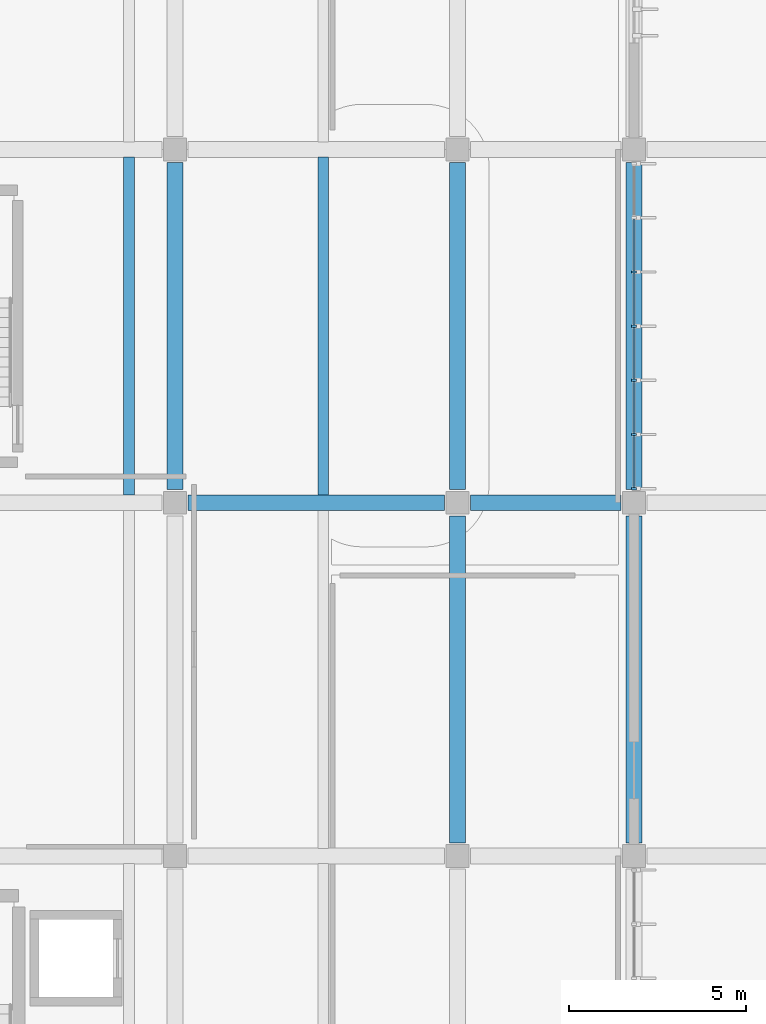
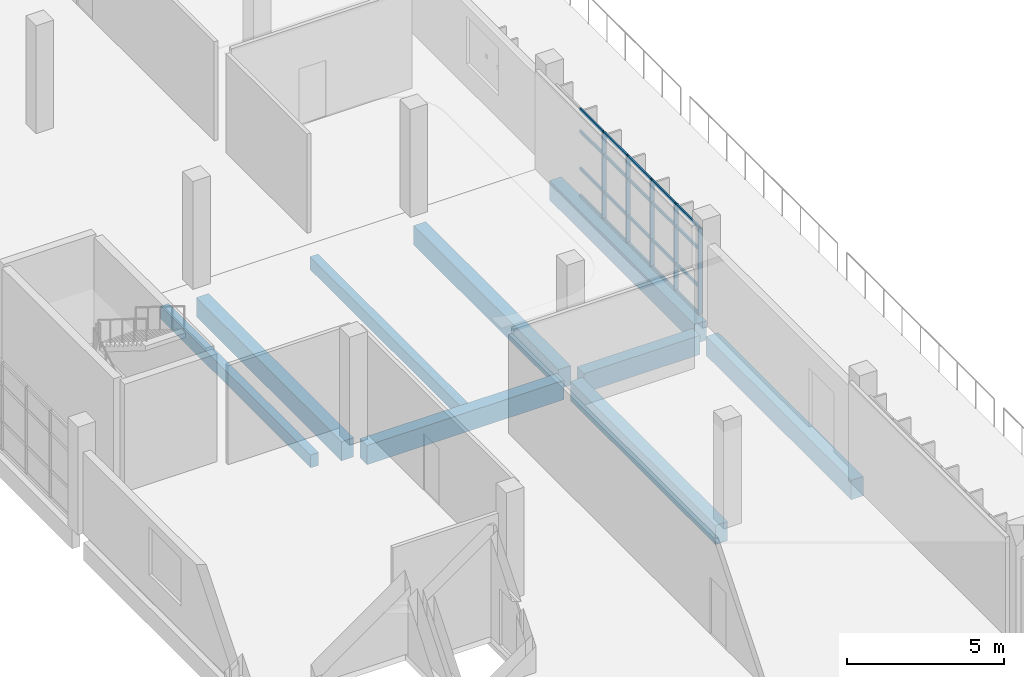
# One storey, part 57 of 142: 25 members, 9 beams, 1 element without a shape of its own.
"""IFC4 building model written with IfcOpenShell, lengths in metres."""

from ifc_helpers import new_model, si_unit, direction, frame, origin, origin_2d, place, context, subcontext, project, spatial, rectangle, extrude, material, layer, layer_set, material_profile, profile_set, type_object, element, aggregate, save


model = new_model("IFC4")

# Units and contexts
model_context = context("Model", 3, precision=1e-05, world=origin(), true_north=direction((0.0, 1.0)))
body_context = subcontext(model_context, "Body", "Model", "MODEL_VIEW")
ifc_project = project(units=[si_unit("LENGTHUNIT", "METRE"), si_unit("AREAUNIT", "SQUARE_METRE"), si_unit("VOLUMEUNIT", "CUBIC_METRE"), si_unit("PLANEANGLEUNIT", "RADIAN"), si_unit("MASSUNIT", "GRAM", prefix="KILO")], contexts=[model_context])

# Site, building, storey
site_placement = place(None, origin())
site = spatial("IfcSite", under=ifc_project, at=site_placement, CompositionType="ELEMENT")
building_placement = place(site_placement, origin())
building = spatial("IfcBuilding", under=site, at=building_placement, Name="Corvandel Quay Wholesale Market", CompositionType="ELEMENT")
storey_placement = place(building_placement, frame((0.0, 0.0, 10.800048828125)))
storey = spatial("IfcBuildingStorey", under=building, at=storey_placement, Name="L02", CompositionType="ELEMENT", Elevation=10.800048828125)

# Curtain wall, members
ifc_material_1 = material(Name="Bronze anodised aluminium and low-E insulated glazing", Category="aluminium")
ifc_layer = layer(ifc_material_1, 0.162109375)
ifc_layer_set = layer_set([ifc_layer], Name="Bronze anodised aluminium and low-E insulated glazing")
curtain_wall_type = type_object("IfcCurtainWallType", Name="Stick Curtain Wall System CW16 H4440", PredefinedType="NOTDEFINED", material=ifc_layer_set)
curtain_wall_placement = place(storey_placement, origin())
curtain_wall = element("IfcCurtainWall", 1, at=curtain_wall_placement, inside=storey, type_object=curtain_wall_type, Name="Curtain Wall CW-0158", PredefinedType="NOTDEFINED")
ifc_material_2 = material(Name="Anodised aluminium 6063-T6", Category="aluminium")
ifc_material_profile_1 = material_profile(ifc_material_2, rectangle(XDim=0.06494140625, YDim=0.14990234375, at=origin_2d()), Name="ALU-MUL-65x150")
ifc_profile_set_1 = profile_set([ifc_material_profile_1], Name="Anodised aluminium 6063-T6")
member_type_1 = type_object("IfcMemberType", Name="Curtain Wall Mullion ML02 65x150", PredefinedType="MULLION", material=ifc_profile_set_1)
member_1_placement = place(storey_placement, frame((243.0, 40.39990234375, 0.0), z_axis=(0.0, 0.0, 1.0), x_axis=(0.0, 1.0, 0.0)))
member_1 = element("IfcMember", 2, at=member_1_placement, type_object=member_type_1, Name="Mullion CW-0158-M00", PredefinedType="MULLION", context=body_context, shape_type="SweptSolid", body=[
    extrude(rectangle(XDim=0.06494140625, YDim=0.14990234375, at=origin_2d()), origin(), (0.0, 0.0, 1.0), 3.349853515625),
])
member_2_placement = place(storey_placement, frame((243.0, 41.933349609375, 0.0), z_axis=(0.0, 0.0, 1.0), x_axis=(0.0, 1.0, 0.0)))
member_2 = element("IfcMember", 3, at=member_2_placement, type_object=member_type_1, Name="Mullion CW-0158-M01", PredefinedType="MULLION", context=body_context, shape_type="SweptSolid", body=[
    extrude(rectangle(XDim=0.06494140625, YDim=0.14990234375, at=origin_2d()), origin(), (0.0, 0.0, 1.0), 3.349853515625),
])
member_3_placement = place(storey_placement, frame((243.0, 43.466796875, 0.0), z_axis=(0.0, 0.0, 1.0), x_axis=(0.0, 1.0, 0.0)))
member_3 = element("IfcMember", 4, at=member_3_placement, type_object=member_type_1, Name="Mullion CW-0158-M02", PredefinedType="MULLION", context=body_context, shape_type="SweptSolid", body=[
    extrude(rectangle(XDim=0.06494140625, YDim=0.14990234375, at=origin_2d()), origin(), (0.0, 0.0, 1.0), 3.349853515625),
])
member_4_placement = place(storey_placement, frame((243.0, 45.0, 0.0), z_axis=(0.0, 0.0, 1.0), x_axis=(0.0, 1.0, 0.0)))
member_4 = element("IfcMember", 5, at=member_4_placement, type_object=member_type_1, Name="Mullion CW-0158-M03", PredefinedType="MULLION", context=body_context, shape_type="SweptSolid", body=[
    extrude(rectangle(XDim=0.06494140625, YDim=0.14990234375, at=origin_2d()), origin(), (0.0, 0.0, 1.0), 3.349853515625),
])
member_5_placement = place(storey_placement, frame((243.0, 46.533203125, 0.0), z_axis=(0.0, 0.0, 1.0), x_axis=(0.0, 1.0, 0.0)))
member_5 = element("IfcMember", 6, at=member_5_placement, type_object=member_type_1, Name="Mullion CW-0158-M04", PredefinedType="MULLION", context=body_context, shape_type="SweptSolid", body=[
    extrude(rectangle(XDim=0.06494140625, YDim=0.14990234375, at=origin_2d()), origin(), (0.0, 0.0, 1.0), 3.349853515625),
])
ifc_material_profile_2 = material_profile(ifc_material_2, rectangle(XDim=0.06005859375, YDim=0.110107421875, at=origin_2d()), Name="ALU-TRN-60x110")
ifc_profile_set_2 = profile_set([ifc_material_profile_2], Name="Anodised aluminium 6063-T6")
member_type_2 = type_object("IfcMemberType", Name="Curtain Wall Transom TR02 60x110", PredefinedType="USERDEFINED", material=ifc_profile_set_2)
member_6_placement = place(storey_placement, frame((243.0, 40.4326171875, 0.0), z_axis=(0.0, 1.0, 0.0), x_axis=(-1.0, 0.0, 0.0)))
member_6 = element("IfcMember", 7, at=member_6_placement, type_object=member_type_2, Name="Transom CW-0158-T00-0", ObjectType="TRANSOM", PredefinedType="USERDEFINED", context=body_context, shape_type="SweptSolid", body=[
    extrude(rectangle(XDim=0.06005859375, YDim=0.110107421875, at=origin_2d()), origin(), (0.0, 0.0, 1.0), 1.46826171875),
])
member_7_placement = place(storey_placement, frame((243.0, 40.4326171875, 1.050048828125), z_axis=(0.0, 1.0, 0.0), x_axis=(-1.0, 0.0, 0.0)))
member_7 = element("IfcMember", 8, at=member_7_placement, type_object=member_type_2, Name="Transom CW-0158-T00-1", ObjectType="TRANSOM", PredefinedType="USERDEFINED", context=body_context, shape_type="SweptSolid", body=[
    extrude(rectangle(XDim=0.06005859375, YDim=0.110107421875, at=origin_2d()), origin(), (0.0, 0.0, 1.0), 1.46826171875),
])
member_8_placement = place(storey_placement, frame((243.0, 40.4326171875, 2.5), z_axis=(0.0, 1.0, 0.0), x_axis=(-1.0, 0.0, 0.0)))
member_8 = element("IfcMember", 9, at=member_8_placement, type_object=member_type_2, Name="Transom CW-0158-T00-2", ObjectType="TRANSOM", PredefinedType="USERDEFINED", context=body_context, shape_type="SweptSolid", body=[
    extrude(rectangle(XDim=0.06005859375, YDim=0.110107421875, at=origin_2d()), origin(), (0.0, 0.0, 1.0), 1.46826171875),
])
member_9_placement = place(storey_placement, frame((243.0, 40.4326171875, 3.349853515625), z_axis=(0.0, 1.0, 0.0), x_axis=(-1.0, 0.0, 0.0)))
member_9 = element("IfcMember", 10, at=member_9_placement, type_object=member_type_2, Name="Transom CW-0158-T00-3", ObjectType="TRANSOM", PredefinedType="USERDEFINED", context=body_context, shape_type="SweptSolid", body=[
    extrude(rectangle(XDim=0.06005859375, YDim=0.110107421875, at=origin_2d()), origin(), (0.0, 0.0, 1.0), 1.46826171875),
])
member_10_placement = place(storey_placement, frame((243.0, 41.9658203125, 0.0), z_axis=(0.0, 1.0, 0.0), x_axis=(-1.0, 0.0, 0.0)))
member_10 = element("IfcMember", 11, at=member_10_placement, type_object=member_type_2, Name="Transom CW-0158-T01-0", ObjectType="TRANSOM", PredefinedType="USERDEFINED", context=body_context, shape_type="SweptSolid", body=[
    extrude(rectangle(XDim=0.06005859375, YDim=0.110107421875, at=origin_2d()), origin(), (0.0, 0.0, 1.0), 1.46826171875),
])
member_11_placement = place(storey_placement, frame((243.0, 41.9658203125, 1.050048828125), z_axis=(0.0, 1.0, 0.0), x_axis=(-1.0, 0.0, 0.0)))
member_11 = element("IfcMember", 12, at=member_11_placement, type_object=member_type_2, Name="Transom CW-0158-T01-1", ObjectType="TRANSOM", PredefinedType="USERDEFINED", context=body_context, shape_type="SweptSolid", body=[
    extrude(rectangle(XDim=0.06005859375, YDim=0.110107421875, at=origin_2d()), origin(), (0.0, 0.0, 1.0), 1.46826171875),
])
member_12_placement = place(storey_placement, frame((243.0, 41.9658203125, 2.5), z_axis=(0.0, 1.0, 0.0), x_axis=(-1.0, 0.0, 0.0)))
member_12 = element("IfcMember", 13, at=member_12_placement, type_object=member_type_2, Name="Transom CW-0158-T01-2", ObjectType="TRANSOM", PredefinedType="USERDEFINED", context=body_context, shape_type="SweptSolid", body=[
    extrude(rectangle(XDim=0.06005859375, YDim=0.110107421875, at=origin_2d()), origin(), (0.0, 0.0, 1.0), 1.46826171875),
])
member_13_placement = place(storey_placement, frame((243.0, 41.9658203125, 3.349853515625), z_axis=(0.0, 1.0, 0.0), x_axis=(-1.0, 0.0, 0.0)))
member_13 = element("IfcMember", 14, at=member_13_placement, type_object=member_type_2, Name="Transom CW-0158-T01-3", ObjectType="TRANSOM", PredefinedType="USERDEFINED", context=body_context, shape_type="SweptSolid", body=[
    extrude(rectangle(XDim=0.06005859375, YDim=0.110107421875, at=origin_2d()), origin(), (0.0, 0.0, 1.0), 1.46826171875),
])
member_14_placement = place(storey_placement, frame((243.0, 43.499267578125, 0.0), z_axis=(0.0, 1.0, 0.0), x_axis=(-1.0, 0.0, 0.0)))
member_14 = element("IfcMember", 15, at=member_14_placement, type_object=member_type_2, Name="Transom CW-0158-T02-0", ObjectType="TRANSOM", PredefinedType="USERDEFINED", context=body_context, shape_type="SweptSolid", body=[
    extrude(rectangle(XDim=0.06005859375, YDim=0.110107421875, at=origin_2d()), origin(), (0.0, 0.0, 1.0), 1.46826171875),
])
member_15_placement = place(storey_placement, frame((243.0, 43.499267578125, 1.050048828125), z_axis=(0.0, 1.0, 0.0), x_axis=(-1.0, 0.0, 0.0)))
member_15 = element("IfcMember", 16, at=member_15_placement, type_object=member_type_2, Name="Transom CW-0158-T02-1", ObjectType="TRANSOM", PredefinedType="USERDEFINED", context=body_context, shape_type="SweptSolid", body=[
    extrude(rectangle(XDim=0.06005859375, YDim=0.110107421875, at=origin_2d()), origin(), (0.0, 0.0, 1.0), 1.46826171875),
])
member_16_placement = place(storey_placement, frame((243.0, 43.499267578125, 2.5), z_axis=(0.0, 1.0, 0.0), x_axis=(-1.0, 0.0, 0.0)))
member_16 = element("IfcMember", 17, at=member_16_placement, type_object=member_type_2, Name="Transom CW-0158-T02-2", ObjectType="TRANSOM", PredefinedType="USERDEFINED", context=body_context, shape_type="SweptSolid", body=[
    extrude(rectangle(XDim=0.06005859375, YDim=0.110107421875, at=origin_2d()), origin(), (0.0, 0.0, 1.0), 1.46826171875),
])
member_17_placement = place(storey_placement, frame((243.0, 43.499267578125, 3.349853515625), z_axis=(0.0, 1.0, 0.0), x_axis=(-1.0, 0.0, 0.0)))
member_17 = element("IfcMember", 18, at=member_17_placement, type_object=member_type_2, Name="Transom CW-0158-T02-3", ObjectType="TRANSOM", PredefinedType="USERDEFINED", context=body_context, shape_type="SweptSolid", body=[
    extrude(rectangle(XDim=0.06005859375, YDim=0.110107421875, at=origin_2d()), origin(), (0.0, 0.0, 1.0), 1.46826171875),
])
member_18_placement = place(storey_placement, frame((243.0, 45.032470703125, 0.0), z_axis=(0.0, 1.0, 0.0), x_axis=(-1.0, 0.0, 0.0)))
member_18 = element("IfcMember", 19, at=member_18_placement, type_object=member_type_2, Name="Transom CW-0158-T03-0", ObjectType="TRANSOM", PredefinedType="USERDEFINED", context=body_context, shape_type="SweptSolid", body=[
    extrude(rectangle(XDim=0.06005859375, YDim=0.110107421875, at=origin_2d()), origin(), (0.0, 0.0, 1.0), 1.46826171875),
])
member_19_placement = place(storey_placement, frame((243.0, 45.032470703125, 1.050048828125), z_axis=(0.0, 1.0, 0.0), x_axis=(-1.0, 0.0, 0.0)))
member_19 = element("IfcMember", 20, at=member_19_placement, type_object=member_type_2, Name="Transom CW-0158-T03-1", ObjectType="TRANSOM", PredefinedType="USERDEFINED", context=body_context, shape_type="SweptSolid", body=[
    extrude(rectangle(XDim=0.06005859375, YDim=0.110107421875, at=origin_2d()), origin(), (0.0, 0.0, 1.0), 1.46826171875),
])
member_20_placement = place(storey_placement, frame((243.0, 45.032470703125, 2.5), z_axis=(0.0, 1.0, 0.0), x_axis=(-1.0, 0.0, 0.0)))
member_20 = element("IfcMember", 21, at=member_20_placement, type_object=member_type_2, Name="Transom CW-0158-T03-2", ObjectType="TRANSOM", PredefinedType="USERDEFINED", context=body_context, shape_type="SweptSolid", body=[
    extrude(rectangle(XDim=0.06005859375, YDim=0.110107421875, at=origin_2d()), origin(), (0.0, 0.0, 1.0), 1.46826171875),
])
member_21_placement = place(storey_placement, frame((243.0, 45.032470703125, 3.349853515625), z_axis=(0.0, 1.0, 0.0), x_axis=(-1.0, 0.0, 0.0)))
member_21 = element("IfcMember", 22, at=member_21_placement, type_object=member_type_2, Name="Transom CW-0158-T03-3", ObjectType="TRANSOM", PredefinedType="USERDEFINED", context=body_context, shape_type="SweptSolid", body=[
    extrude(rectangle(XDim=0.06005859375, YDim=0.110107421875, at=origin_2d()), origin(), (0.0, 0.0, 1.0), 1.46826171875),
])
member_22_placement = place(storey_placement, frame((243.0, 46.56591796875, 0.0), z_axis=(0.0, 1.0, 0.0), x_axis=(-1.0, 0.0, 0.0)))
member_22 = element("IfcMember", 23, at=member_22_placement, type_object=member_type_2, Name="Transom CW-0158-T04-0", ObjectType="TRANSOM", PredefinedType="USERDEFINED", context=body_context, shape_type="SweptSolid", body=[
    extrude(rectangle(XDim=0.06005859375, YDim=0.110107421875, at=origin_2d()), origin(), (0.0, 0.0, 1.0), 1.46826171875),
])
member_23_placement = place(storey_placement, frame((243.0, 46.56591796875, 1.050048828125), z_axis=(0.0, 1.0, 0.0), x_axis=(-1.0, 0.0, 0.0)))
member_23 = element("IfcMember", 24, at=member_23_placement, type_object=member_type_2, Name="Transom CW-0158-T04-1", ObjectType="TRANSOM", PredefinedType="USERDEFINED", context=body_context, shape_type="SweptSolid", body=[
    extrude(rectangle(XDim=0.06005859375, YDim=0.110107421875, at=origin_2d()), origin(), (0.0, 0.0, 1.0), 1.46826171875),
])
member_24_placement = place(storey_placement, frame((243.0, 46.56591796875, 2.5), z_axis=(0.0, 1.0, 0.0), x_axis=(-1.0, 0.0, 0.0)))
member_24 = element("IfcMember", 25, at=member_24_placement, type_object=member_type_2, Name="Transom CW-0158-T04-2", ObjectType="TRANSOM", PredefinedType="USERDEFINED", context=body_context, shape_type="SweptSolid", body=[
    extrude(rectangle(XDim=0.06005859375, YDim=0.110107421875, at=origin_2d()), origin(), (0.0, 0.0, 1.0), 1.46826171875),
])
member_25_placement = place(storey_placement, frame((243.0, 46.56591796875, 3.349853515625), z_axis=(0.0, 1.0, 0.0), x_axis=(-1.0, 0.0, 0.0)))
member_25 = element("IfcMember", 26, at=member_25_placement, type_object=member_type_2, Name="Transom CW-0158-T04-3", ObjectType="TRANSOM", PredefinedType="USERDEFINED", context=body_context, shape_type="SweptSolid", body=[
    extrude(rectangle(XDim=0.06005859375, YDim=0.110107421875, at=origin_2d()), origin(), (0.0, 0.0, 1.0), 1.46826171875),
])
aggregate(curtain_wall, [member_1, member_2, member_3, member_4, member_5, member_6, member_7, member_8, member_9, member_10, member_11, member_12, member_13, member_14, member_15, member_16, member_17, member_18, member_19, member_20, member_21, member_22, member_23, member_24, member_25])

# Beams
ifc_material_3 = material(Name="Precast concrete C45/55", Category="concrete")
ifc_material_profile_3 = material_profile(ifc_material_3, rectangle(XDim=0.300048828125, YDim=0.5, at=origin_2d()), Name="PC-BM-300x500")
ifc_profile_set_3 = profile_set([ifc_material_profile_3], Name="Precast concrete C45/55")
beam_type_1 = type_object("IfcBeamType", Name="Office Floor Secondary Beam B04 300x500", PredefinedType="BEAM", material=ifc_profile_set_3)
for number, where, z_axis, x_axis, name in (
    (27, (228.699951171875, 40.215087890625, -0.570068359375), (0.0, 1.0, 0.0), (-1.0, 0.0, 0.0), "Beam BM-1600"),
    (28, (234.199951171875, 40.215087890625, -0.570068359375), (0.0, 1.0, 0.0), (-1.0, 0.0, 0.0), "Beam BM-1601"),
):
    element("IfcBeam", number, at=place(storey_placement, frame(where, z_axis=z_axis, x_axis=x_axis)), inside=storey, type_object=beam_type_1, Name=name, PredefinedType="BEAM", context=body_context, shape_type="SweptSolid", body=[
        extrude(rectangle(XDim=0.300048828125, YDim=0.5, at=origin_2d()), origin(), (0.0, 0.0, 1.0), 9.56982421875),
    ])
ifc_material_profile_4 = material_profile(ifc_material_3, rectangle(XDim=0.449951171875, YDim=0.75, at=origin_2d()), Name="PC-GIR-450x750")
ifc_profile_set_4 = profile_set([ifc_material_profile_4], Name="Precast concrete C45/55")
beam_type_2 = type_object("IfcBeamType", Name="Waterfront Office Girder G06 450x750", PredefinedType="USERDEFINED", material=ifc_profile_set_4)
beam_1_placement = place(storey_placement, frame((230.3701171875, 40.0, -0.695068359375), z_axis=(1.0, 0.0, 0.0), x_axis=(0.0, 1.0, 0.0)))
element("IfcBeam", 29, at=beam_1_placement, inside=storey, type_object=beam_type_2, Name="Beam BM-1522", ObjectType="GIRDER", PredefinedType="USERDEFINED", context=body_context, shape_type="SweptSolid", body=[
    extrude(rectangle(XDim=0.449951171875, YDim=0.75, at=origin_2d()), origin(), (0.0, 0.0, 1.0), 7.259765625),
])
beam_2_placement = place(storey_placement, frame((238.3701171875, 40.0, -0.695068359375), z_axis=(1.0, 0.0, 0.0), x_axis=(0.0, 1.0, 0.0)))
element("IfcBeam", 30, at=beam_2_placement, inside=storey, type_object=beam_type_2, Name="Beam BM-1523", ObjectType="GIRDER", PredefinedType="USERDEFINED", context=body_context, shape_type="SweptSolid", body=[
    extrude(rectangle(XDim=0.449951171875, YDim=0.75, at=origin_2d()), origin(), (0.0, 0.0, 1.0), 4.259765625),
])
for number, where, z_axis, x_axis, name in (
    (31, (230.0, 40.3701171875, -0.695068359375), (0.0, 1.0, 0.0), (-1.0, 0.0, 0.0), "Beam BM-1561"),
    (32, (238.0, 30.3701171875, -0.695068359375), (0.0, 1.0, 0.0), (-1.0, 0.0, 0.0), "Beam BM-1569"),
    (33, (238.0, 40.3701171875, -0.695068359375), (0.0, 1.0, 0.0), (-1.0, 0.0, 0.0), "Beam BM-1570"),
    (34, (243.0, 30.3701171875, -0.695068359375), (0.0, 1.0, 0.0), (-1.0, 0.0, 0.0), "Beam BM-1578"),
    (35, (243.0, 40.3701171875, -0.695068359375), (0.0, 1.0, 0.0), (-1.0, 0.0, 0.0), "Beam BM-1579"),
):
    element("IfcBeam", number, at=place(storey_placement, frame(where, z_axis=z_axis, x_axis=x_axis)), inside=storey, type_object=beam_type_2, Name=name, ObjectType="GIRDER", PredefinedType="USERDEFINED", context=body_context, shape_type="SweptSolid", body=[
        extrude(rectangle(XDim=0.449951171875, YDim=0.75, at=origin_2d()), origin(), (0.0, 0.0, 1.0), 9.259765625),
    ])

save(model, "model.ifc")
